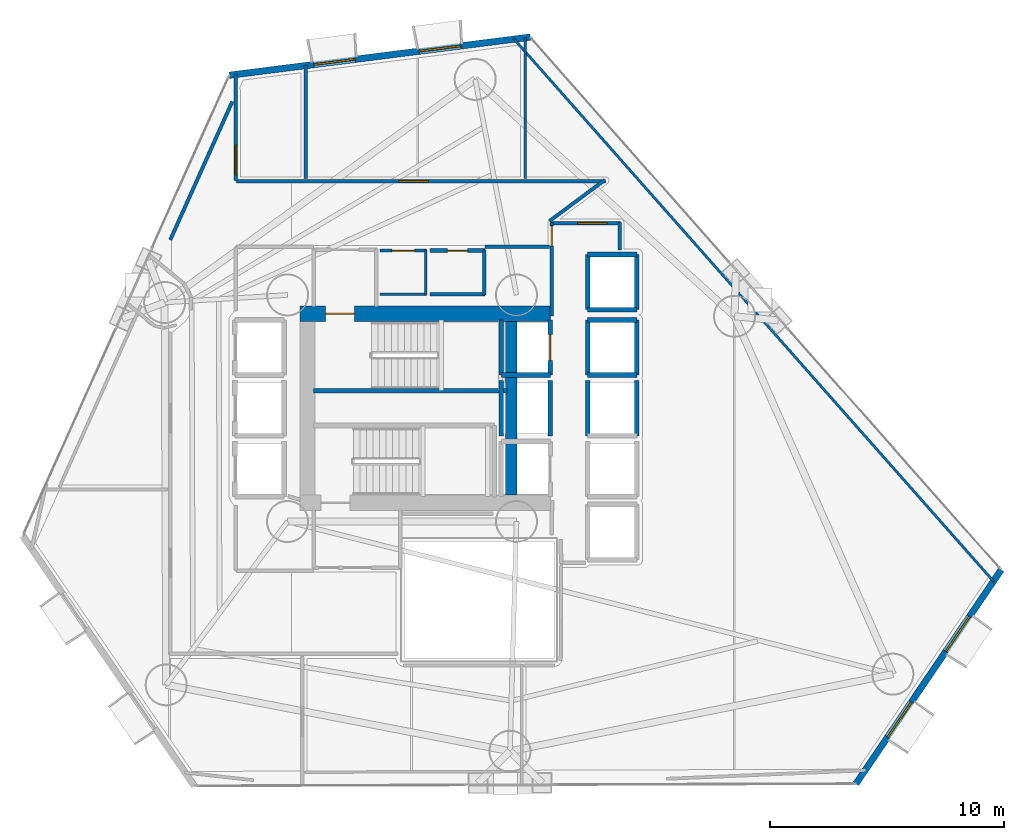
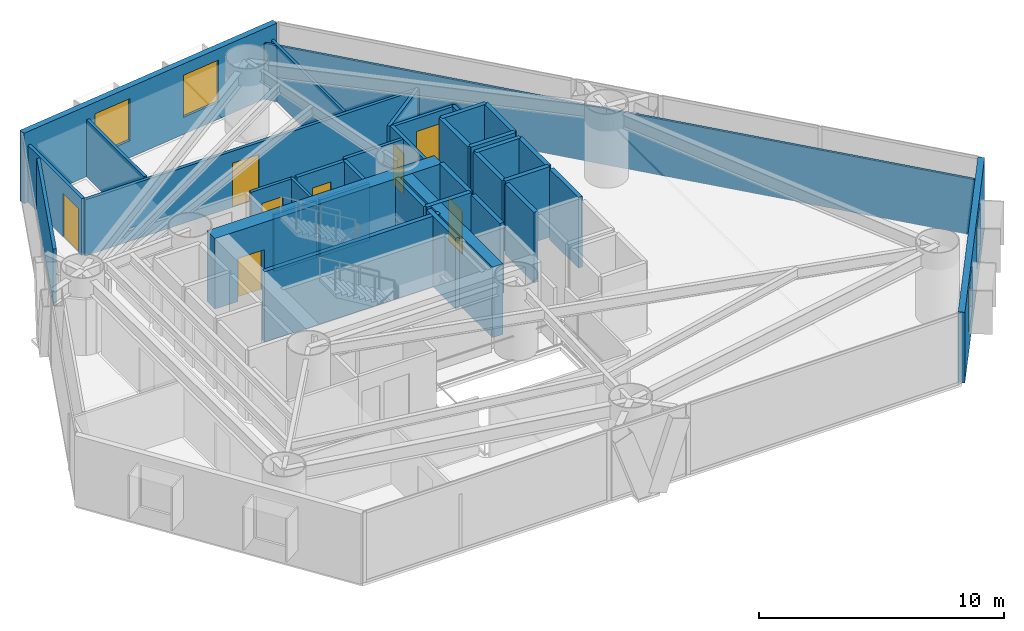
# One storey, part 17 of 22: 37 walls, 8 doors, 4 windows, 12 openings.
"""IFC4 building model written with IfcOpenShell, lengths in metres."""

from ifc_helpers import new_model, si_unit, direction, frame, frame_2d, origin, place, context, subcontext, project, spatial, rectangle, extrude, material, layer, layer_set, type_object, element, fill, save


model = new_model("IFC4")

# Units and contexts
model_context = context("Model", 3, precision=1e-05, world=origin(), true_north=direction((0.0, 1.0)))
body_context = subcontext(model_context, "Body", "Model", "MODEL_VIEW")
ifc_project = project(units=[si_unit("LENGTHUNIT", "METRE"), si_unit("AREAUNIT", "SQUARE_METRE"), si_unit("VOLUMEUNIT", "CUBIC_METRE"), si_unit("PLANEANGLEUNIT", "RADIAN"), si_unit("MASSUNIT", "GRAM", prefix="KILO")], contexts=[model_context])

# Site, building, storey
site_placement = place(None, origin())
site = spatial("IfcSite", under=ifc_project, at=site_placement, CompositionType="ELEMENT")
building_placement = place(site_placement, origin())
building = spatial("IfcBuilding", under=site, at=building_placement, Name="Qianvela Tower", CompositionType="ELEMENT")
storey_placement = place(building_placement, frame((0.0, 0.0, 40.5)))
storey = spatial("IfcBuildingStorey", under=building, at=storey_placement, Name="L09", CompositionType="ELEMENT", Elevation=40.5)

# Wall, openings, windows
ifc_material_1 = material(Name="Terracotta Cladding on Concrete C40", Category="masonry")
ifc_layer_1 = layer(ifc_material_1, 0.280029296875)
ifc_layer_set_1 = layer_set([ifc_layer_1], Name="Terracotta Cladding on Concrete C40")
wall_type_1 = type_object("IfcWallType", Name="TERRACOTTA-WALL-280", PredefinedType="SOLIDWALL", material=ifc_layer_set_1)
wall_1_placement = place(storey_placement, frame((52.93408203125, 12.622802734375, 0.0), z_axis=(0.0, 0.0, 1.0), x_axis=(0.561838343443, 0.827247046436, 0.0)))
wall_1 = element("IfcWall", 1, at=wall_1_placement, inside=storey, type_object=wall_type_1, Name="L09 Terracotta Chamfer Facet Wall 1", PredefinedType="SOLIDWALL", context=body_context, shape_type="SweptSolid", body=[
    extrude(rectangle(XDim=11.0732421875, YDim=0.280029296875, at=frame_2d((5.53662109375, 0.0))), origin(), (0.0, 0.0, 1.0), 3.52001953125),
])
opening_1_placement = place(wall_1_placement, frame((2.422119140625, 0.0, 0.85009765625)))
opening_1 = element("IfcOpeningElement", 2, at=opening_1_placement, cuts=wall_1, Name="Opening W-01", PredefinedType="OPENING", context=body_context, shape_type="SweptSolid", body=[
    extrude(rectangle(XDim=1.800048828125, YDim=2.10009765625, at=frame_2d((0.89990234375, 1.050048828125))), frame((0.0, 0.14990234375, 0.0), z_axis=(0.0, -1.0, 0.0), x_axis=(1.0, 0.0, 0.0)), (0.0, 0.0, 1.0), 0.300048828125),
])
opening_2_placement = place(wall_1_placement, frame((6.851318359375, 0.0, 0.85009765625)))
opening_2 = element("IfcOpeningElement", 3, at=opening_2_placement, cuts=wall_1, Name="Opening W-01", PredefinedType="OPENING", context=body_context, shape_type="SweptSolid", body=[
    extrude(rectangle(XDim=1.800048828125, YDim=2.10009765625, at=frame_2d((0.89990234375, 1.050048828125))), frame((0.0, 0.14990234375, 0.0), z_axis=(0.0, -1.0, 0.0), x_axis=(1.0, 0.0, 0.0)), (0.0, 0.0, 1.0), 0.300048828125),
])
ifc_material_2 = material(Name="Thermally Broken Aluminium and Low-E Glass", Category="aluminium")
window_type = type_object("IfcWindowType", Name="WIN-TC-1800x2100", PartitioningType="DOUBLE_PANEL_VERTICAL", PredefinedType="WINDOW", material=ifc_material_2)
window_1_placement = place(opening_1_placement, origin())
window_1 = element("IfcWindow", 4, at=window_1_placement, inside=storey, type_object=window_type, Name="L09 Chamfer Facet Window 1.1", OverallHeight=2.10009765625, OverallWidth=1.800048828125, PartitioningType="SINGLE_PANEL", PredefinedType="WINDOW", context=body_context, shape_type="SweptSolid", body=[
    extrude(rectangle(XDim=1.800048828125, YDim=2.10009765625, at=frame_2d((0.89990234375, 1.050048828125))), frame((0.0, 0.030029296875, 0.0), z_axis=(0.0, -1.0, 0.0), x_axis=(1.0, 0.0, 0.0)), (0.0, 0.0, 1.0), 0.06005859375),
])
fill(opening_1, window_1)
window_2_placement = place(opening_2_placement, origin())
window_2 = element("IfcWindow", 5, at=window_2_placement, inside=storey, type_object=window_type, Name="L09 Chamfer Facet Window 1.2", OverallHeight=2.10009765625, OverallWidth=1.800048828125, PartitioningType="SINGLE_PANEL", PredefinedType="WINDOW", context=body_context, shape_type="SweptSolid", body=[
    extrude(rectangle(XDim=1.800048828125, YDim=2.10009765625, at=frame_2d((0.89990234375, 1.050048828125))), frame((0.0, 0.030029296875, 0.0), z_axis=(0.0, -1.0, 0.0), x_axis=(1.0, 0.0, 0.0)), (0.0, 0.0, 1.0), 0.06005859375),
])
fill(opening_2, window_2)

wall_2_placement = place(storey_placement, frame((38.987060546875, 44.590087890625, 0.0), z_axis=(0.0, 0.0, 1.0), x_axis=(-0.992057885568, -0.125782159637, 0.0)))
wall_2 = element("IfcWall", 6, at=wall_2_placement, inside=storey, type_object=wall_type_1, Name="L09 Terracotta Chamfer Facet Wall 3", PredefinedType="SOLIDWALL", context=body_context, shape_type="SweptSolid", body=[
    extrude(rectangle(XDim=12.981201171875, YDim=0.280029296875, at=frame_2d((6.49072265625, 0.0))), origin(), (0.0, 0.0, 1.0), 3.52001953125),
])
opening_3_placement = place(wall_2_placement, frame((2.994384765625, 0.0, 0.85009765625)))
opening_3 = element("IfcOpeningElement", 7, at=opening_3_placement, cuts=wall_2, Name="Opening W-01", PredefinedType="OPENING", context=body_context, shape_type="SweptSolid", body=[
    extrude(rectangle(XDim=1.800048828125, YDim=2.10009765625, at=frame_2d((0.89990234375, 1.050048828125))), frame((0.0, 0.14990234375, 0.0), z_axis=(0.0, -1.0, 0.0), x_axis=(1.0, 0.0, 0.0)), (0.0, 0.0, 1.0), 0.300048828125),
])
opening_4_placement = place(wall_2_placement, frame((7.547119140625, 0.0, 0.85009765625)))
opening_4 = element("IfcOpeningElement", 8, at=opening_4_placement, cuts=wall_2, Name="Opening W-01", PredefinedType="OPENING", context=body_context, shape_type="SweptSolid", body=[
    extrude(rectangle(XDim=1.800048828125, YDim=2.10009765625, at=frame_2d((0.89990234375, 1.050048828125))), frame((0.0, 0.14990234375, 0.0), z_axis=(0.0, -1.0, 0.0), x_axis=(1.0, 0.0, 0.0)), (0.0, 0.0, 1.0), 0.300048828125),
])
window_3_placement = place(opening_3_placement, origin())
window_3 = element("IfcWindow", 9, at=window_3_placement, inside=storey, type_object=window_type, Name="L09 Chamfer Facet Window 3.1", OverallHeight=2.10009765625, OverallWidth=1.800048828125, PartitioningType="SINGLE_PANEL", PredefinedType="WINDOW", context=body_context, shape_type="SweptSolid", body=[
    extrude(rectangle(XDim=1.800048828125, YDim=2.10009765625, at=frame_2d((0.89990234375, 1.050048828125))), frame((0.0, 0.030029296875, 0.0), z_axis=(0.0, -1.0, 0.0), x_axis=(1.0, 0.0, 0.0)), (0.0, 0.0, 1.0), 0.06005859375),
])
fill(opening_3, window_3)
window_4_placement = place(opening_4_placement, origin())
window_4 = element("IfcWindow", 10, at=window_4_placement, inside=storey, type_object=window_type, Name="L09 Chamfer Facet Window 3.2", OverallHeight=2.10009765625, OverallWidth=1.800048828125, PartitioningType="SINGLE_PANEL", PredefinedType="WINDOW", context=body_context, shape_type="SweptSolid", body=[
    extrude(rectangle(XDim=1.800048828125, YDim=2.10009765625, at=frame_2d((0.89990234375, 1.050048828125))), frame((0.0, 0.030029296875, 0.0), z_axis=(0.0, -1.0, 0.0), x_axis=(1.0, 0.0, 0.0)), (0.0, 0.0, 1.0), 0.06005859375),
])
fill(opening_4, window_4)

# Wall, opening, door
ifc_material_3 = material(Name="Concrete C60", Category="concrete")
ifc_layer_2 = layer(ifc_material_3, 0.64990234375)
ifc_layer_set_2 = layer_set([ifc_layer_2], Name="Concrete C60")
wall_type_2 = type_object("IfcWallType", Name="WT-CORE-650", PredefinedType="SHEAR", material=ifc_layer_set_2)
wall_3_placement = place(storey_placement, frame((29.1298828125, 32.7451171875, 0.0), z_axis=(0.0, 0.0, 1.0), x_axis=(1.0, 0.0, 0.0)))
wall_3 = element("IfcWall", 11, at=wall_3_placement, inside=storey, type_object=wall_type_2, Name="L09 North Core Shear Wall", PredefinedType="SHEAR", context=body_context, shape_type="SweptSolid", body=[
    extrude(rectangle(XDim=10.72021484375, YDim=0.64990234375, at=frame_2d((5.360107421875, 0.0))), origin(), (0.0, 0.0, 1.0), 3.52001953125),
])
opening_5_placement = place(wall_3_placement, frame((1.094970703125, 0.0, 0.0)))
opening_5 = element("IfcOpeningElement", 12, at=opening_5_placement, cuts=wall_3, Name="Opening D-ST1", PredefinedType="OPENING", context=body_context, shape_type="SweptSolid", body=[
    extrude(rectangle(XDim=1.25, YDim=2.14990234375, at=frame_2d((0.625, 1.074951171875))), frame((0.0, 0.3349609375, 0.0), z_axis=(0.0, -1.0, 0.0), x_axis=(1.0, 0.0, 0.0)), (0.0, 0.0, 1.0), 0.669921875),
])
ifc_material_4 = material(Name="Galvanised Fire Steel Q355B", Category="steel")
door_type_1 = type_object("IfcDoorType", Name="DT-STAIR-FD90", OperationType="NOTDEFINED", PredefinedType="DOOR", material=ifc_material_4)
door_1_placement = place(opening_5_placement, origin())
door_1 = element("IfcDoor", 13, at=door_1_placement, inside=storey, type_object=door_type_1, Name="L09 Stair ST-1 Exit Door", OperationType="SINGLE_SWING_RIGHT", OverallHeight=2.14990234375, OverallWidth=1.25, PredefinedType="DOOR", context=body_context, shape_type="SweptSolid", body=[
    extrude(rectangle(XDim=1.25, YDim=2.14990234375, at=frame_2d((0.625, 1.074951171875))), frame((0.0, 0.02490234375, 0.0), z_axis=(0.0, -1.0, 0.0), x_axis=(1.0, 0.0, 0.0)), (0.0, 0.0, 1.0), 0.050048828125),
])
fill(opening_5, door_1)

# Wall
wall_4_placement = place(storey_placement, frame((38.179931640625, 24.97998046875, 0.0), z_axis=(0.0, 0.0, 1.0), x_axis=(0.0, 1.0, 0.0)))
element("IfcWall", 14, at=wall_4_placement, inside=storey, type_object=wall_type_2, Name="L09 East Spine Core Shear Wall", PredefinedType="SHEAR", context=body_context, shape_type="SweptSolid", body=[
    extrude(rectangle(XDim=7.43994140625, YDim=0.5, at=frame_2d((3.719970703125, 0.0))), origin(), (0.0, 0.0, 1.0), 3.52001953125),
])

# Wall, opening, door
ifc_material_5 = material(Name="Fire-Rated Acoustic Gypsum Board")
ifc_layer_3 = layer(ifc_material_5, 0.14990234375)
ifc_layer_set_3 = layer_set([ifc_layer_3], Name="Fire-Rated Acoustic Gypsum Board")
wall_type_3 = type_object("IfcWallType", Name="WT-CORR-150", PredefinedType="PARTITIONING", material=ifc_layer_set_3)
wall_5_placement = place(storey_placement, frame((39.910888671875, 32.639892578125, 0.0), z_axis=(0.0, 0.0, 1.0), x_axis=(0.0, 1.0, 0.0)))
wall_5 = element("IfcWall", 15, at=wall_5_placement, inside=storey, type_object=wall_type_3, Name="L09 Partition 10", PredefinedType="PARTITIONING", context=body_context, shape_type="SweptSolid", body=[
    extrude(rectangle(XDim=4.010009765625, YDim=0.14990234375, at=frame_2d((2.0048828125, 0.0))), origin(), (0.0, 0.0, 1.0), 2.840087890625),
])
opening_6_placement = place(wall_5_placement, frame((3.010009765625, 0.0, 0.0)))
opening_6 = element("IfcOpeningElement", 16, at=opening_6_placement, cuts=wall_5, Name="Opening D-LB2", PredefinedType="OPENING", context=body_context, shape_type="SweptSolid", body=[
    extrude(rectangle(XDim=0.860107421875, YDim=2.050048828125, at=frame_2d((0.43017578125, 1.02490234375))), frame((0.0, 0.0849609375, 0.0), z_axis=(0.0, -1.0, 0.0), x_axis=(1.0, 0.0, 0.0)), (0.0, 0.0, 1.0), 0.169921875),
])
ifc_material_6 = material(Name="Insulated Steel Fire Door Q355B", Category="steel")
door_type_2 = type_object("IfcDoorType", Name="DT-LOBBY-FD90-860", OperationType="NOTDEFINED", PredefinedType="DOOR", material=ifc_material_6)
door_2_placement = place(opening_6_placement, origin())
door_2 = element("IfcDoor", 17, at=door_2_placement, inside=storey, type_object=door_type_2, Name="L09 Door L09 Lift Lobby to L09 Floor Corridor", OperationType="SINGLE_SWING_LEFT", OverallHeight=2.050048828125, OverallWidth=0.860107421875, PredefinedType="DOOR", context=body_context, shape_type="SweptSolid", body=[
    extrude(rectangle(XDim=0.860107421875, YDim=2.050048828125, at=frame_2d((0.43017578125, 1.02490234375))), frame((0.0, 0.02490234375, 0.0), z_axis=(0.0, -1.0, 0.0), x_axis=(1.0, 0.0, 0.0)), (0.0, 0.0, 1.0), 0.050048828125),
])
fill(opening_6, door_2)

wall_6_placement = place(storey_placement, frame((39.8798828125, 36.618896484375, 0.0), z_axis=(0.0, 0.0, 1.0), x_axis=(1.0, 0.0, 0.0)))
wall_6 = element("IfcWall", 18, at=wall_6_placement, inside=storey, type_object=wall_type_3, Name="L09 Partition 11", PredefinedType="PARTITIONING", context=body_context, shape_type="SweptSolid", body=[
    extrude(rectangle(XDim=2.97021484375, YDim=0.14990234375, at=frame_2d((1.485107421875, 0.0))), origin(), (0.0, 0.0, 1.0), 2.840087890625),
])
opening_7_placement = place(wall_6_placement, frame((1.139892578125, 0.0, 0.0)))
opening_7 = element("IfcOpeningElement", 19, at=opening_7_placement, cuts=wall_6, Name="Opening D-LG1", PredefinedType="OPENING", context=body_context, shape_type="SweptSolid", body=[
    extrude(rectangle(XDim=1.25, YDim=2.199951171875, at=frame_2d((0.625, 1.10009765625))), frame((0.0, 0.0849609375, 0.0), z_axis=(0.0, -1.0, 0.0), x_axis=(1.0, 0.0, 0.0)), (0.0, 0.0, 1.0), 0.169921875),
])
ifc_material_7 = material(Name="Anodised Aluminium Acoustic Glass Door", Category="aluminium")
door_type_3 = type_object("IfcDoorType", Name="DT-LOUNGE-1250", OperationType="NOTDEFINED", PredefinedType="DOOR", material=ifc_material_7)
door_3_placement = place(opening_7_placement, origin())
door_3 = element("IfcDoor", 20, at=door_3_placement, inside=storey, type_object=door_type_3, Name="L09 Door Quiet Reading Study L09-03 to L09 Lift Lobby", OperationType="SINGLE_SWING_LEFT", OverallHeight=2.199951171875, OverallWidth=1.25, PredefinedType="DOOR", context=body_context, shape_type="SweptSolid", body=[
    extrude(rectangle(XDim=1.25, YDim=2.199951171875, at=frame_2d((0.625, 1.10009765625))), frame((0.0, 0.02490234375, 0.0), z_axis=(0.0, -1.0, 0.0), x_axis=(1.0, 0.0, 0.0)), (0.0, 0.0, 1.0), 0.050048828125),
])
fill(opening_7, door_3)

# Walls
wall_7_placement = place(storey_placement, frame((42.819091796875, 36.64990234375, 0.0), z_axis=(0.0, 0.0, 1.0), x_axis=(0.0, -1.0, 0.0)))
element("IfcWall", 21, at=wall_7_placement, inside=storey, type_object=wall_type_3, Name="L09 Partition 12", PredefinedType="PARTITIONING", context=body_context, shape_type="SweptSolid", body=[
    extrude(rectangle(XDim=1.169921875, YDim=0.14990234375, at=frame_2d((0.5849609375, 0.0))), origin(), (0.0, 0.0, 1.0), 2.840087890625),
])
wall_8_placement = place(storey_placement, frame((23.578369140625, 35.90869140625, 0.0), z_axis=(0.0, 0.0, 1.0), x_axis=(0.409253596505, 0.912420678058, 0.0)))
element("IfcWall", 22, at=wall_8_placement, inside=storey, type_object=wall_type_3, Name="L09 Partition 41", PredefinedType="PARTITIONING", context=body_context, shape_type="SweptSolid", body=[
    extrude(rectangle(XDim=6.48876953125, YDim=0.14990234375, at=frame_2d((3.244384765625, 0.0))), origin(), (0.0, 0.0, 1.0), 2.840087890625),
])

# Wall, opening, door
wall_9_placement = place(storey_placement, frame((26.388916015625, 43.0126953125, 0.0), z_axis=(0.0, 0.0, 1.0), x_axis=(0.0, -1.0, 0.0)))
wall_9 = element("IfcWall", 23, at=wall_9_placement, inside=storey, type_object=wall_type_3, Name="L09 Partition 42", PredefinedType="PARTITIONING", context=body_context, shape_type="SweptSolid", body=[
    extrude(rectangle(XDim=4.562744140625, YDim=0.14990234375, at=frame_2d((2.28125, 0.0))), origin(), (0.0, 0.0, 1.0), 2.840087890625),
])
opening_8_placement = place(wall_9_placement, frame((3.056396484375, 0.0, 0.0)))
opening_8 = element("IfcOpeningElement", 24, at=opening_8_placement, cuts=wall_9, Name="Opening D-LG1", PredefinedType="OPENING", context=body_context, shape_type="SweptSolid", body=[
    extrude(rectangle(XDim=1.25, YDim=2.199951171875, at=frame_2d((0.625, 1.10009765625))), frame((0.0, 0.0849609375, 0.0), z_axis=(0.0, -1.0, 0.0), x_axis=(1.0, 0.0, 0.0)), (0.0, 0.0, 1.0), 0.169921875),
])
door_4_placement = place(opening_8_placement, origin())
door_4 = element("IfcDoor", 25, at=door_4_placement, inside=storey, type_object=door_type_3, Name="L09 Door Stationery Supply Boutique L09-05 to L09 Floor Corridor", OperationType="SINGLE_SWING_LEFT", OverallHeight=2.199951171875, OverallWidth=1.25, PredefinedType="DOOR", context=body_context, shape_type="SweptSolid", body=[
    extrude(rectangle(XDim=1.25, YDim=2.199951171875, at=frame_2d((0.625, 1.10009765625))), frame((0.0, 0.02490234375, 0.0), z_axis=(0.0, -1.0, 0.0), x_axis=(1.0, 0.0, 0.0)), (0.0, 0.0, 1.0), 0.050048828125),
])
fill(opening_8, door_4)

wall_10_placement = place(storey_placement, frame((26.419921875, 38.4189453125, 0.0), z_axis=(0.0, 0.0, 1.0), x_axis=(1.0, 0.0, 0.0)))
wall_10 = element("IfcWall", 26, at=wall_10_placement, inside=storey, type_object=wall_type_3, Name="L09 Partition 43", PredefinedType="PARTITIONING", context=body_context, shape_type="SweptSolid", body=[
    extrude(rectangle(XDim=15.783203125, YDim=0.14990234375, at=frame_2d((7.8916015625, 0.0))), origin(), (0.0, 0.0, 1.0), 2.798095703125),
])
opening_9_placement = place(wall_10_placement, frame((6.955078125, 0.0, 0.0)))
opening_9 = element("IfcOpeningElement", 27, at=opening_9_placement, cuts=wall_10, Name="Opening D-LG1", PredefinedType="OPENING", context=body_context, shape_type="SweptSolid", body=[
    extrude(rectangle(XDim=1.25, YDim=2.199951171875, at=frame_2d((0.625, 1.10009765625))), frame((0.0, 0.0849609375, 0.0), z_axis=(0.0, -1.0, 0.0), x_axis=(1.0, 0.0, 0.0)), (0.0, 0.0, 1.0), 0.169921875),
])
door_5_placement = place(opening_9_placement, origin())
door_5 = element("IfcDoor", 28, at=door_5_placement, inside=storey, type_object=door_type_3, Name="L09 Door Student Bookshop Market L09-04 to L09 Floor Corridor", OperationType="SINGLE_SWING_RIGHT", OverallHeight=2.199951171875, OverallWidth=1.25, PredefinedType="DOOR", context=body_context, shape_type="SweptSolid", body=[
    extrude(rectangle(XDim=1.25, YDim=2.199951171875, at=frame_2d((0.625, 1.10009765625))), frame((0.0, 0.02490234375, 0.0), z_axis=(0.0, -1.0, 0.0), x_axis=(1.0, 0.0, 0.0)), (0.0, 0.0, 1.0), 0.050048828125),
])
fill(opening_9, door_5)

# Walls
wall_11_placement = place(storey_placement, frame((42.1845703125, 38.474853515625, 0.0), z_axis=(0.0, 0.0, 1.0), x_axis=(-0.802818467394, -0.596223538961, 0.0)))
element("IfcWall", 29, at=wall_11_placement, inside=storey, type_object=wall_type_3, Name="L09 Partition 44", PredefinedType="PARTITIONING", context=body_context, shape_type="SweptSolid", body=[
    extrude(rectangle(XDim=2.953125, YDim=0.14990234375, at=frame_2d((1.4765625, 0.0))), origin(), (0.0, 0.0, 1.0), 2.798095703125),
])
wall_12_placement = place(storey_placement, frame((39.818115234375, 35.611083984375, 0.0), z_axis=(0.0, 0.0, 1.0), x_axis=(-1.0, 0.0, 0.0)))
element("IfcWall", 30, at=wall_12_placement, inside=storey, type_object=wall_type_3, Name="L09 Partition 46 seg 1", PredefinedType="PARTITIONING", context=body_context, shape_type="SweptSolid", body=[
    extrude(rectangle(XDim=2.76806640625, YDim=0.14990234375, at=frame_2d((1.384033203125, 0.0))), origin(), (0.0, 0.0, 1.0), 2.840087890625),
])
ifc_material_8 = material(Name="Lightweight Gypsum Room Partition")
ifc_layer_4 = layer(ifc_material_8, 0.10498046875)
ifc_layer_set_4 = layer_set([ifc_layer_4], Name="Lightweight Gypsum Room Partition")
wall_type_4 = type_object("IfcWallType", Name="WT-PART-105", PredefinedType="PARTITIONING", material=ifc_layer_set_4)
wall_13_placement = place(storey_placement, frame((38.282470703125, 44.517578125, 0.0), z_axis=(0.0, 0.0, 1.0), x_axis=(0.66245043497, -0.74910574768, 0.0)))
element("IfcWall", 31, at=wall_13_placement, inside=storey, type_object=wall_type_4, Name="L09 Partition 73", PredefinedType="PARTITIONING", context=body_context, shape_type="SweptSolid", body=[
    extrude(rectangle(XDim=31.02490234375, YDim=0.10498046875, at=frame_2d((15.512451171875, 0.0))), origin(), (0.0, 0.0, 1.0), 2.798095703125),
])
ifc_material_9 = material(Name="Insulated Gypsum Stud Partition")
ifc_layer_5 = layer(ifc_material_9, 0.1201171875)
ifc_layer_set_5 = layer_set([ifc_layer_5], Name="Insulated Gypsum Stud Partition")
wall_type_5 = type_object("IfcWallType", Name="WT-PART-120", PredefinedType="PARTITIONING", material=ifc_layer_set_5)
wall_14_placement = place(storey_placement, frame((34.550048828125, 33.5810546875, 0.0), z_axis=(0.0, 0.0, 1.0), x_axis=(-1.0, 0.0, 0.0)))
element("IfcWall", 32, at=wall_14_placement, inside=storey, type_object=wall_type_5, Name="L09 Partition 18", PredefinedType="PARTITIONING", context=body_context, shape_type="SweptSolid", body=[
    extrude(rectangle(XDim=2.0, YDim=0.1201171875, at=frame_2d((1.0, 0.0))), origin(), (0.0, 0.0, 1.0), 2.840087890625),
])
wall_15_placement = place(storey_placement, frame((34.51904296875, 35.47998046875, 0.0), z_axis=(0.0, 0.0, 1.0), x_axis=(0.0, -1.0, 0.0)))
element("IfcWall", 33, at=wall_15_placement, inside=storey, type_object=wall_type_5, Name="L09 Partition 21", PredefinedType="PARTITIONING", context=body_context, shape_type="SweptSolid", body=[
    extrude(rectangle(XDim=1.929931640625, YDim=0.1201171875, at=frame_2d((0.96484375, 0.0))), origin(), (0.0, 0.0, 1.0), 2.840087890625),
])
wall_16_placement = place(storey_placement, frame((38.77294921875, 38.530029296875, 0.0), z_axis=(0.0, 0.0, 1.0), x_axis=(0.0, 1.0, 0.0)))
element("IfcWall", 34, at=wall_16_placement, inside=storey, type_object=wall_type_5, Name="L09 Partition 72", PredefinedType="PARTITIONING", context=body_context, shape_type="SweptSolid", body=[
    extrude(rectangle(XDim=6.052978515625, YDim=0.1201171875, at=frame_2d((3.0263671875, 0.0))), origin(), (0.0, 0.0, 1.0), 2.798095703125),
])
ifc_material_10 = material(Name="Sanitary Service Chase Partition")
ifc_layer_6 = layer(ifc_material_10, 0.1650390625)
ifc_layer_set_6 = layer_set([ifc_layer_6], Name="Sanitary Service Chase Partition")
wall_type_6 = type_object("IfcWallType", Name="WT-PLUMB-165", PredefinedType="PLUMBINGWALL", material=ifc_layer_set_6)
wall_17_placement = place(storey_placement, frame((37.050048828125, 33.5810546875, 0.0), z_axis=(0.0, 0.0, 1.0), x_axis=(-1.0, 0.0, 0.0)))
element("IfcWall", 35, at=wall_17_placement, inside=storey, type_object=wall_type_6, Name="L09 Partition 22", PredefinedType="PLUMBINGWALL", context=body_context, shape_type="SweptSolid", body=[
    extrude(rectangle(XDim=2.35009765625, YDim=0.1650390625, at=frame_2d((1.175048828125, 0.0))), origin(), (0.0, 0.0, 1.0), 2.840087890625),
])

# Wall, opening, door
wall_18_placement = place(storey_placement, frame((34.699951171875, 35.448974609375, 0.0), z_axis=(0.0, 0.0, 1.0), x_axis=(1.0, 0.0, 0.0)))
wall_18 = element("IfcWall", 36, at=wall_18_placement, inside=storey, type_object=wall_type_6, Name="L09 Partition 24", PredefinedType="PLUMBINGWALL", context=body_context, shape_type="SweptSolid", body=[
    extrude(rectangle(XDim=2.35009765625, YDim=0.1650390625, at=frame_2d((1.175048828125, 0.0))), origin(), (0.0, 0.0, 1.0), 2.840087890625),
])
opening_10_placement = place(wall_18_placement, frame((0.7451171875, 0.0, 0.0)))
opening_10 = element("IfcOpeningElement", 37, at=opening_10_placement, cuts=wall_18, Name="Opening D-WC1", PredefinedType="OPENING", context=body_context, shape_type="SweptSolid", body=[
    extrude(rectangle(XDim=0.860107421875, YDim=2.050048828125, at=frame_2d((0.43017578125, 1.02490234375))), frame((0.0, 0.092529296875, 0.0), z_axis=(0.0, -1.0, 0.0), x_axis=(1.0, 0.0, 0.0)), (0.0, 0.0, 1.0), 0.18505859375),
])
ifc_material_11 = material(Name="Moisture-Sealed Acoustic Timber Door", Category="wood")
door_type_4 = type_object("IfcDoorType", Name="DT-WC-860", OperationType="NOTDEFINED", PredefinedType="DOOR", material=ifc_material_11)
door_6_placement = place(opening_10_placement, origin())
door_6 = element("IfcDoor", 38, at=door_6_placement, inside=storey, type_object=door_type_4, Name="L09 Door L09 Accessible WC to L09 Floor Corridor", OperationType="SINGLE_SWING_LEFT", OverallHeight=2.050048828125, OverallWidth=0.860107421875, PredefinedType="DOOR", context=body_context, shape_type="SweptSolid", body=[
    extrude(rectangle(XDim=0.860107421875, YDim=2.050048828125, at=frame_2d((0.43017578125, 1.02490234375))), frame((0.0, 0.02490234375, 0.0), z_axis=(0.0, -1.0, 0.0), x_axis=(1.0, 0.0, 0.0)), (0.0, 0.0, 1.0), 0.050048828125),
])
fill(opening_10, door_6)

# Wall
wall_19_placement = place(storey_placement, frame((37.01904296875, 35.47998046875, 0.0), z_axis=(0.0, 0.0, 1.0), x_axis=(0.0, -1.0, 0.0)))
element("IfcWall", 39, at=wall_19_placement, inside=storey, type_object=wall_type_6, Name="L09 Partition 25", PredefinedType="PLUMBINGWALL", context=body_context, shape_type="SweptSolid", body=[
    extrude(rectangle(XDim=1.929931640625, YDim=0.1650390625, at=frame_2d((0.96484375, 0.0))), origin(), (0.0, 0.0, 1.0), 2.840087890625),
])

# Wall, opening, door
ifc_material_12 = material(Name="Acoustic Double Gypsum Stud Partition")
ifc_layer_7 = layer(ifc_material_12, 0.139892578125)
ifc_layer_set_7 = layer_set([ifc_layer_7], Name="Acoustic Double Gypsum Stud Partition")
wall_type_7 = type_object("IfcWallType", Name="WT-ROOM-140", PredefinedType="PARTITIONING", material=ifc_layer_set_7)
wall_20_placement = place(storey_placement, frame((32.550048828125, 35.448974609375, 0.0), z_axis=(0.0, 0.0, 1.0), x_axis=(1.0, 0.0, 0.0)))
wall_20 = element("IfcWall", 40, at=wall_20_placement, inside=storey, type_object=wall_type_7, Name="L09 Partition 20", PredefinedType="PARTITIONING", context=body_context, shape_type="SweptSolid", body=[
    extrude(rectangle(XDim=2.0, YDim=0.139892578125, at=frame_2d((1.0, 0.0))), origin(), (0.0, 0.0, 1.0), 2.840087890625),
])
opening_11_placement = place(wall_20_placement, frame((0.510009765625, 0.0, 0.0)))
opening_11 = element("IfcOpeningElement", 41, at=opening_11_placement, cuts=wall_20, Name="Opening D-RM1", PredefinedType="OPENING", context=body_context, shape_type="SweptSolid", body=[
    extrude(rectangle(XDim=0.97998046875, YDim=2.10009765625, at=frame_2d((0.489990234375, 1.050048828125))), frame((0.0, 0.079833984375, 0.0), z_axis=(0.0, -1.0, 0.0), x_axis=(1.0, 0.0, 0.0)), (0.0, 0.0, 1.0), 0.159912109375),
])
ifc_material_13 = material(Name="Solid Core Acoustic Timber Fire Door", Category="wood")
door_type_5 = type_object("IfcDoorType", Name="DT-ROOM-FD60", OperationType="NOTDEFINED", PredefinedType="DOOR", material=ifc_material_13)
door_7_placement = place(opening_11_placement, origin())
door_7 = element("IfcDoor", 42, at=door_7_placement, inside=storey, type_object=door_type_5, Name="L09 Door L09 Cleaner Store to L09 Floor Corridor", OperationType="SINGLE_SWING_RIGHT", OverallHeight=2.10009765625, OverallWidth=0.97998046875, PredefinedType="DOOR", context=body_context, shape_type="SweptSolid", body=[
    extrude(rectangle(XDim=0.97998046875, YDim=2.10009765625, at=frame_2d((0.489990234375, 1.050048828125))), frame((0.0, 0.02490234375, 0.0), z_axis=(0.0, -1.0, 0.0), x_axis=(1.0, 0.0, 0.0)), (0.0, 0.0, 1.0), 0.050048828125),
])
fill(opening_11, door_7)

# Walls
wall_21_placement = place(storey_placement, frame((29.373046875, 38.530029296875, 0.0), z_axis=(0.0, 0.0, 1.0), x_axis=(0.0, 1.0, 0.0)))
element("IfcWall", 43, at=wall_21_placement, inside=storey, type_object=wall_type_7, Name="L09 Partition 89", PredefinedType="PARTITIONING", context=body_context, shape_type="SweptSolid", body=[
    extrude(rectangle(XDim=4.861083984375, YDim=0.139892578125, at=frame_2d((2.4306640625, 0.0))), origin(), (0.0, 0.0, 1.0), 2.840087890625),
])
ifc_material_14 = material(Name="Concrete C50", Category="concrete")
ifc_layer_8 = layer(ifc_material_14, 0.199951171875)
ifc_layer_set_8 = layer_set([ifc_layer_8], Name="Concrete C50")
wall_type_8 = type_object("IfcWallType", Name="WT-SHAFT-200", PredefinedType="SOLIDWALL", material=ifc_layer_set_8)
wall_22_placement = place(storey_placement, frame((29.699951171875, 29.449951171875, 0.0), z_axis=(0.0, 0.0, 1.0), x_axis=(1.0, 0.0, 0.0)))
element("IfcWall", 44, at=wall_22_placement, inside=storey, type_object=wall_type_8, Name="L09 Stair ST-1 South Wall", PredefinedType="SOLIDWALL", context=body_context, shape_type="SweptSolid", body=[
    extrude(rectangle(XDim=8.300048828125, YDim=0.199951171875, at=frame_2d((4.14990234375, 0.0))), origin(), (0.0, 0.0, 1.0), 3.52001953125),
])

# Wall, opening, door
wall_23_placement = place(storey_placement, frame((39.85009765625, 30.1201171875, 0.0), z_axis=(0.0, 0.0, 1.0), x_axis=(0.0, 1.0, 0.0)))
wall_23 = element("IfcWall", 45, at=wall_23_placement, inside=storey, type_object=wall_type_8, Name="L09 Lift FL-1 E Shaft Wall", PredefinedType="SOLIDWALL", context=body_context, shape_type="SweptSolid", body=[
    extrude(rectangle(XDim=2.35986328125, YDim=0.199951171875, at=frame_2d((1.179931640625, 0.0))), origin(), (0.0, 0.0, 1.0), 3.52001953125),
])
opening_12_placement = place(wall_23_placement, frame((0.6298828125, 0.0, 0.0)))
opening_12 = element("IfcOpeningElement", 46, at=opening_12_placement, cuts=wall_23, Name="Opening LD-01", PredefinedType="OPENING", context=body_context, shape_type="SweptSolid", body=[
    extrude(rectangle(XDim=1.10009765625, YDim=2.14990234375, at=frame_2d((0.550048828125, 1.074951171875))), frame((0.0, 0.10986328125, 0.0), z_axis=(0.0, -1.0, 0.0), x_axis=(1.0, 0.0, 0.0)), (0.0, 0.0, 1.0), 0.219970703125),
])
ifc_material_15 = material(Name="Brushed Stainless Steel Lift Landing Door", Category="steel")
door_type_6 = type_object("IfcDoorType", Name="DT-LIFT-SLIDE-1100", OperationType="SLIDING_TO_LEFT", PredefinedType="DOOR", material=ifc_material_15)
door_8_placement = place(opening_12_placement, origin())
door_8 = element("IfcDoor", 47, at=door_8_placement, inside=storey, type_object=door_type_6, Name="L09 Lift FL-1 Sliding Landing Door", OperationType="SLIDING_TO_LEFT", OverallHeight=2.14990234375, OverallWidth=1.10009765625, PredefinedType="DOOR", context=body_context, shape_type="SweptSolid", body=[
    extrude(rectangle(XDim=1.10009765625, YDim=2.14990234375, at=frame_2d((0.550048828125, 1.074951171875))), frame((0.0, 0.02490234375, 0.0), z_axis=(0.0, -1.0, 0.0), x_axis=(1.0, 0.0, 0.0)), (0.0, 0.0, 1.0), 0.050048828125),
])
fill(opening_12, door_8)

# Walls
wall_24_placement = place(storey_placement, frame((37.75, 30.1201171875, 0.0), z_axis=(0.0, 0.0, 1.0), x_axis=(0.0, 1.0, 0.0)))
element("IfcWall", 48, at=wall_24_placement, inside=storey, type_object=wall_type_8, Name="L09 Lift FL-1 W Shaft Wall", PredefinedType="SOLIDWALL", context=body_context, shape_type="SweptSolid", body=[
    extrude(rectangle(XDim=2.35986328125, YDim=0.199951171875, at=frame_2d((1.179931640625, 0.0))), origin(), (0.0, 0.0, 1.0), 3.52001953125),
])
wall_25_placement = place(storey_placement, frame((37.75, 30.1201171875, 0.0), z_axis=(0.0, 0.0, 1.0), x_axis=(1.0, 0.0, 0.0)))
element("IfcWall", 49, at=wall_25_placement, inside=storey, type_object=wall_type_8, Name="L09 Lift FL-1 S Shaft Wall", PredefinedType="SOLIDWALL", context=body_context, shape_type="SweptSolid", body=[
    extrude(rectangle(XDim=2.10009765625, YDim=0.199951171875, at=frame_2d((1.050048828125, 0.0))), origin(), (0.0, 0.0, 1.0), 3.52001953125),
])
for number, where, z_axis, x_axis, name in (
    (50, (43.550048828125, 30.1201171875, 0.0), (0.0, 0.0, 1.0), (0.0, 1.0, 0.0), "L09 Lift PL-M1 E Shaft Wall"),
    (51, (41.449951171875, 30.1201171875, 0.0), (0.0, 0.0, 1.0), (0.0, 1.0, 0.0), "L09 Lift PL-M1 W Shaft Wall"),
):
    element("IfcWall", number, at=place(storey_placement, frame(where, z_axis=z_axis, x_axis=x_axis)), inside=storey, type_object=wall_type_8, Name=name, PredefinedType="SOLIDWALL", context=body_context, shape_type="SweptSolid", body=[
        extrude(rectangle(XDim=2.35986328125, YDim=0.199951171875, at=frame_2d((1.179931640625, 0.0))), origin(), (0.0, 0.0, 1.0), 3.52001953125),
    ])
for number, where, z_axis, x_axis, name in (
    (52, (41.449951171875, 32.47998046875, 0.0), (0.0, 0.0, 1.0), (1.0, 0.0, 0.0), "L09 Lift PL-M1 N Shaft Wall"),
    (53, (41.449951171875, 30.1201171875, 0.0), (0.0, 0.0, 1.0), (1.0, 0.0, 0.0), "L09 Lift PL-M1 S Shaft Wall"),
):
    element("IfcWall", number, at=place(storey_placement, frame(where, z_axis=z_axis, x_axis=x_axis)), inside=storey, type_object=wall_type_8, Name=name, PredefinedType="SOLIDWALL", context=body_context, shape_type="SweptSolid", body=[
        extrude(rectangle(XDim=2.10009765625, YDim=0.199951171875, at=frame_2d((1.050048828125, 0.0))), origin(), (0.0, 0.0, 1.0), 3.52001953125),
    ])
for number, where, z_axis, x_axis, name in (
    (54, (43.550048828125, 27.52001953125, 0.0), (0.0, 0.0, 1.0), (0.0, 1.0, 0.0), "L09 Lift PL-M2 E Shaft Wall"),
    (55, (41.449951171875, 27.52001953125, 0.0), (0.0, 0.0, 1.0), (0.0, 1.0, 0.0), "L09 Lift PL-M2 W Shaft Wall"),
    (56, (39.85009765625, 27.52001953125, 0.0), (0.0, 0.0, 1.0), (0.0, 1.0, 0.0), "L09 Lift PL-H1 E Shaft Wall"),
    (57, (37.75, 27.52001953125, 0.0), (0.0, 0.0, 1.0), (0.0, 1.0, 0.0), "L09 Lift PL-H1 W Shaft Wall"),
):
    element("IfcWall", number, at=place(storey_placement, frame(where, z_axis=z_axis, x_axis=x_axis)), inside=storey, type_object=wall_type_8, Name=name, PredefinedType="SOLIDWALL", context=body_context, shape_type="SweptSolid", body=[
        extrude(rectangle(XDim=2.35986328125, YDim=0.199951171875, at=frame_2d((1.179931640625, 0.0))), origin(), (0.0, 0.0, 1.0), 3.52001953125),
    ])
for number, where, z_axis, x_axis, name in (
    (58, (43.550048828125, 32.919921875, 0.0), (0.0, 0.0, 1.0), (0.0, 1.0, 0.0), "L09 Lift PL-H3 E Shaft Wall"),
    (59, (41.449951171875, 32.919921875, 0.0), (0.0, 0.0, 1.0), (0.0, 1.0, 0.0), "L09 Lift PL-H3 W Shaft Wall"),
):
    element("IfcWall", number, at=place(storey_placement, frame(where, z_axis=z_axis, x_axis=x_axis)), inside=storey, type_object=wall_type_8, Name=name, PredefinedType="SOLIDWALL", context=body_context, shape_type="SweptSolid", body=[
        extrude(rectangle(XDim=2.360107421875, YDim=0.199951171875, at=frame_2d((1.18017578125, 0.0))), origin(), (0.0, 0.0, 1.0), 3.52001953125),
    ])
for number, where, z_axis, x_axis, name in (
    (60, (41.449951171875, 35.280029296875, 0.0), (0.0, 0.0, 1.0), (1.0, 0.0, 0.0), "L09 Lift PL-H3 N Shaft Wall"),
    (61, (41.449951171875, 32.919921875, 0.0), (0.0, 0.0, 1.0), (1.0, 0.0, 0.0), "L09 Lift PL-H3 S Shaft Wall"),
):
    element("IfcWall", number, at=place(storey_placement, frame(where, z_axis=z_axis, x_axis=x_axis)), inside=storey, type_object=wall_type_8, Name=name, PredefinedType="SOLIDWALL", context=body_context, shape_type="SweptSolid", body=[
        extrude(rectangle(XDim=2.10009765625, YDim=0.199951171875, at=frame_2d((1.050048828125, 0.0))), origin(), (0.0, 0.0, 1.0), 3.52001953125),
    ])

save(model, "model.ifc")
